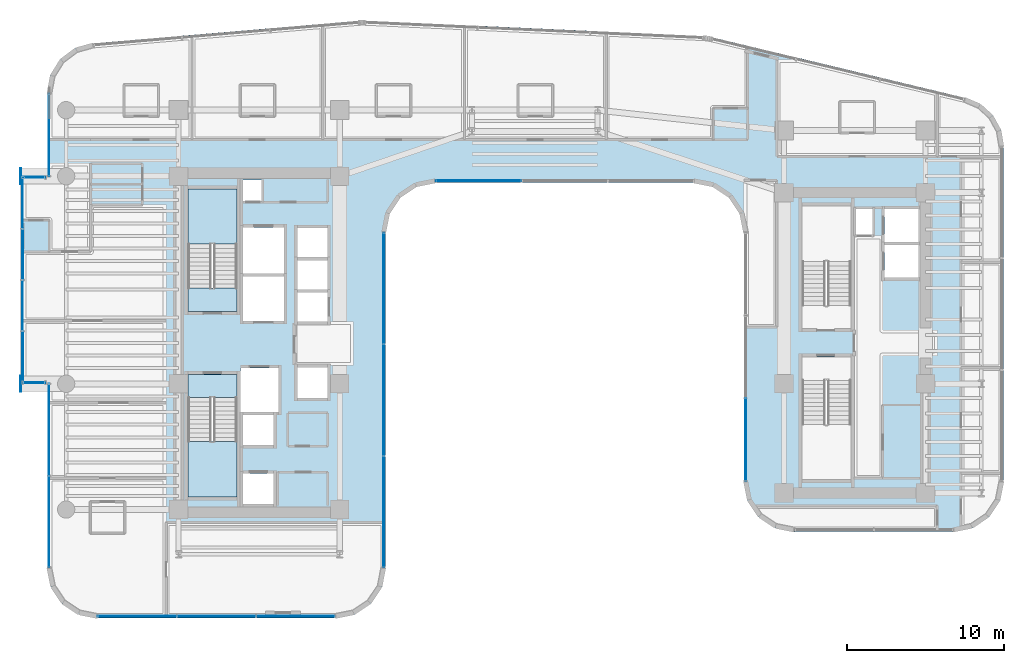
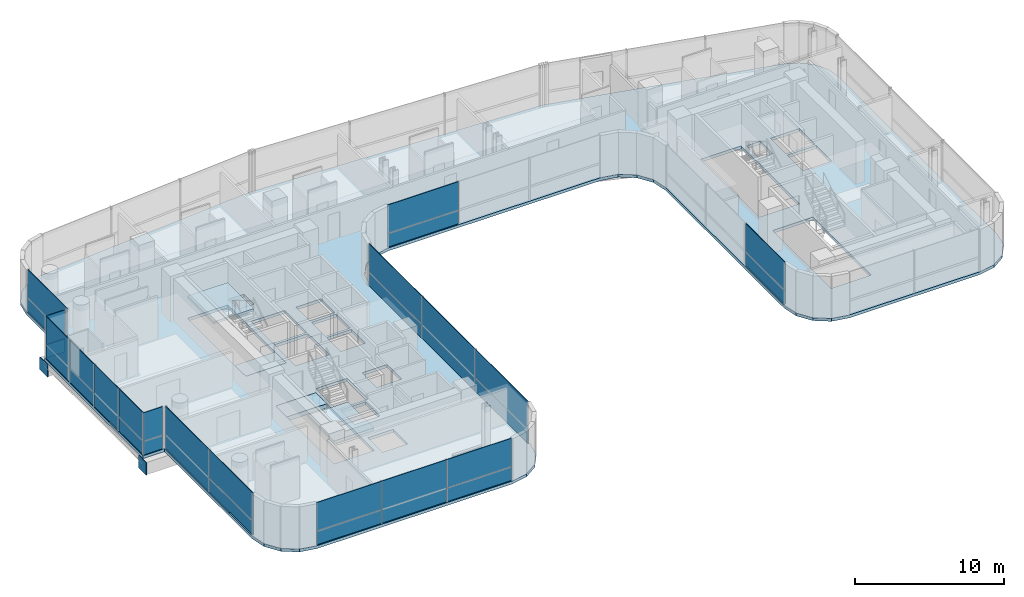
# One storey, part 24 of 35: 31 plates, 5 slabs, 11 elements without a shape of their own.
"""IFC4 building model written with IfcOpenShell, lengths in metres."""

from ifc_helpers import new_model, si_unit, direction, frame, origin, origin_2d, place, context, subcontext, project, spatial, polyline, rectangle, outline, extrude, source, transform, mapped, material, layer, layer_set, type_object, element, aggregate, save


model = new_model("IFC4")

# Units and contexts
model_context = context("Model", 3, precision=1e-05, world=origin(), true_north=direction((0.0, 1.0)))
body_context = subcontext(model_context, "Body", "Model", "MODEL_VIEW")
ifc_project = project(units=[si_unit("LENGTHUNIT", "METRE"), si_unit("AREAUNIT", "SQUARE_METRE"), si_unit("VOLUMEUNIT", "CUBIC_METRE"), si_unit("PLANEANGLEUNIT", "RADIAN"), si_unit("MASSUNIT", "GRAM", prefix="KILO")], contexts=[model_context])

# Site, building, storey
site_placement = place(None, origin())
site = spatial("IfcSite", under=ifc_project, at=site_placement, CompositionType="ELEMENT")
building_placement = place(site_placement, origin())
building = spatial("IfcBuilding", under=site, at=building_placement, Name="Valdorenza Pilgrim Sanctuary Tower", CompositionType="ELEMENT")
storey_placement = place(building_placement, frame((0.0, 0.0, 113.10009765625)))
storey = spatial("IfcBuildingStorey", under=building, at=storey_placement, Name="L28", CompositionType="ELEMENT", Elevation=113.10009765625)

# Slab
ifc_material_1 = material(Name="Concrete C40/50", Category="concrete")
ifc_layer_1 = layer(ifc_material_1, 0.239990234375, Name="Concrete C40/50")
ifc_layer_set_1 = layer_set([ifc_layer_1], Name="Concrete C40/50")
slab_type_1 = type_object("IfcSlabType", Name="SLAB-FLR-220", PredefinedType="FLOOR", material=ifc_layer_set_1)
slab_1_placement = place(storey_placement, frame((0.0, 0.0, -0.239990234375)))
element("IfcSlab", 1, at=slab_1_placement, inside=storey, type_object=slab_type_1, Name="L28 Structural Floor Slab 1", PredefinedType="FLOOR", context=body_context, shape_type="SweptSolid", body=[
    extrude(outline(polyline([(-30.78173828125, 17.022216796875), (-30.156494140625, 18.025390625), (-29.2099609375, 18.733154296875), (-28.071044921875, 19.049072265625), (-11.2080078125, 20.482421875), (-11.10400390625, 20.489501953125), (-10.895751953125, 20.49365234375), (10.6962890625, 19.513916015625), (10.847412109375, 19.50341796875), (10.998046875, 19.485595703125), (11.147705078125, 19.4609375), (11.2958984375, 19.42919921875), (27.344970703125, 15.587646484375), (28.323974609375, 15.17138671875), (29.1123046875, 14.45751953125), (29.623291015625, 13.5244140625), (29.800048828125, 12.4755859375), (29.800048828125, -8.800048828125), (29.556396484375, -10.024658203125), (28.86279296875, -11.062744140625), (27.82470703125, -11.75634765625), (26.60009765625, -12.0), (16.5, -12.0), (15.275390625, -11.75634765625), (14.2373046875, -11.062744140625), (13.543701171875, -10.024658203125), (13.300048828125, -8.800048828125), (13.300048828125, 7.0), (13.056396484375, 8.224609375), (12.36279296875, 9.2626953125), (11.32470703125, 9.956298828125), (10.10009765625, 10.199951171875), (-6.300048828125, 10.199951171875), (-7.524658203125, 9.956298828125), (-8.562744140625, 9.2626953125), (-9.25634765625, 8.224609375), (-9.5, 7.0), (-9.5, -14.300048828125), (-9.74365234375, -15.524658203125), (-10.437255859375, -16.562744140625), (-11.475341796875, -17.25634765625), (-12.699951171875, -17.5), (-27.800048828125, -17.5), (-29.024658203125, -17.25634765625), (-30.062744140625, -16.562744140625), (-30.75634765625, -15.524658203125), (-31.0, -14.300048828125), (-31.0, -2.60009765625), (-32.64990234375, -2.60009765625), (-32.64990234375, 10.60009765625), (-31.0, 10.60009765625), (-31.0, 15.860595703125), (-30.78173828125, 17.022216796875)]), holes=[polyline([(-16.60009765625, -10.25), (-16.60009765625, -8.300048828125), (-18.550048828125, -8.300048828125), (-18.550048828125, -10.25), (-16.60009765625, -10.25)]), polyline([(-22.050048828125, -9.800048828125), (-18.93994140625, -9.800048828125), (-18.93994140625, -3.485107421875), (-18.93994140625, -2.0), (-22.050048828125, -2.0), (-22.050048828125, -3.485107421875), (-22.050048828125, -9.800048828125)]), polyline([(-16.60009765625, -6.5), (-16.60009765625, -4.60009765625), (-18.550048828125, -4.60009765625), (-18.550048828125, -6.5), (-16.60009765625, -6.5)]), polyline([(-18.719970703125, -4.39990234375), (-16.300048828125, -4.39990234375), (-16.300048828125, -1.60009765625), (-18.719970703125, -1.60009765625), (-18.719970703125, -4.39990234375)]), polyline([(-13.179931640625, 1.35009765625), (-13.179931640625, 3.199951171875), (-15.10009765625, 3.199951171875), (-15.10009765625, 1.35009765625), (-13.179931640625, 1.35009765625)]), polyline([(-22.050048828125, 2.0), (-18.93994140625, 2.0), (-18.93994140625, 3.485107421875), (-18.93994140625, 9.800048828125), (-22.050048828125, 9.800048828125), (-22.050048828125, 3.485107421875), (-22.050048828125, 2.0)]), polyline([(-15.949951171875, 1.39990234375), (-15.949951171875, 4.22509765625), (-18.550048828125, 4.22509765625), (-18.550048828125, 1.39990234375), (-15.949951171875, 1.39990234375)]), polyline([(-18.550048828125, 4.425048828125), (-15.949951171875, 4.425048828125), (-15.949951171875, 7.35009765625), (-18.550048828125, 7.35009765625), (-18.550048828125, 4.425048828125)]), polyline([(-17.360107421875, 9.030029296875), (-17.360107421875, 10.35009765625), (-18.570068359375, 10.35009765625), (-18.570068359375, 9.030029296875), (-17.360107421875, 9.030029296875)]), polyline([(17.0, -8.699951171875), (20.110107421875, -8.699951171875), (20.110107421875, -2.385009765625), (20.110107421875, -0.89990234375), (17.0, -0.89990234375), (17.0, -2.385009765625), (17.0, -8.699951171875)]), polyline([(-13.179931640625, -3.5), (-13.179931640625, -1.550048828125), (-15.10009765625, -1.550048828125), (-15.10009765625, -3.5), (-13.179931640625, -3.5)]), polyline([(17.0, 0.89990234375), (20.110107421875, 0.89990234375), (20.110107421875, 2.385009765625), (20.110107421875, 8.699951171875), (17.0, 8.699951171875), (17.0, 2.385009765625), (17.0, 0.89990234375)]), polyline([(-13.179931640625, 3.39990234375), (-13.179931640625, 5.25), (-15.10009765625, 5.25), (-15.10009765625, 3.39990234375), (-13.179931640625, 3.39990234375)]), polyline([(22.25, 4.14990234375), (24.47998046875, 4.14990234375), (24.47998046875, 6.22509765625), (22.25, 6.22509765625), (22.25, 4.14990234375)]), polyline([(-13.179931640625, 5.449951171875), (-13.179931640625, 7.300048828125), (-15.10009765625, 7.300048828125), (-15.10009765625, 5.449951171875), (-13.179931640625, 5.449951171875)]), polyline([(22.25, 6.425048828125), (24.47998046875, 6.425048828125), (24.47998046875, 8.5), (22.25, 8.5), (22.25, 6.425048828125)]), polyline([(20.409912109375, 6.860107421875), (21.489990234375, 6.860107421875), (21.489990234375, 8.52001953125), (20.409912109375, 8.52001953125), (20.409912109375, 6.860107421875)])]), origin(), (0.0, 0.0, 1.0), 0.239990234375),
])

# Stair, slab
stair_type = type_object("IfcStairType", Name="STR-DOG-CORE", PredefinedType="HALF_TURN_STAIR", material=ifc_material_1)
stair_1_placement = place(storey_placement, origin())
stair_1 = element("IfcStair", 2, at=stair_1_placement, inside=storey, type_object=stair_type, Name="L28 ST-A1", PredefinedType="HALF_TURN_STAIR")
ifc_layer_2 = layer(ifc_material_1, 0.199951171875, Name="Concrete C40/50")
ifc_layer_set_2 = layer_set([ifc_layer_2], Name="Concrete C40/50")
slab_type_2 = type_object("IfcSlabType", Name="SLAB-STL-200", PredefinedType="LANDING", material=ifc_layer_set_2)
slab_2_placement = place(storey_placement, frame((0.0, 0.0, 1.64990234375)))
slab_2 = element("IfcSlab", 3, at=slab_2_placement, type_object=slab_type_2, Name="ST-A1 landing 1", PredefinedType="LANDING", context=body_context, shape_type="SweptSolid", body=[
    extrude(outline(polyline([(-18.93994140625, 6.280029296875), (-18.93994140625, 9.800048828125), (-22.050048828125, 9.800048828125), (-22.050048828125, 6.280029296875), (-18.93994140625, 6.280029296875)])), origin(), (0.0, 0.0, 1.0), 0.199951171875),
])
aggregate(stair_1, [slab_2])

stair_2_placement = place(storey_placement, origin())
stair_2 = element("IfcStair", 4, at=stair_2_placement, inside=storey, type_object=stair_type, Name="L28 ST-A2", PredefinedType="HALF_TURN_STAIR")
slab_3_placement = place(storey_placement, frame((0.0, 0.0, 1.64990234375)))
slab_3 = element("IfcSlab", 5, at=slab_3_placement, type_object=slab_type_2, Name="ST-A2 landing 1", PredefinedType="LANDING", context=body_context, shape_type="SweptSolid", body=[
    extrude(outline(polyline([(-22.050048828125, -6.280029296875), (-22.050048828125, -9.800048828125), (-18.93994140625, -9.800048828125), (-18.93994140625, -6.280029296875), (-22.050048828125, -6.280029296875)])), origin(), (0.0, 0.0, 1.0), 0.199951171875),
])
aggregate(stair_2, [slab_3])

# Slabs
ifc_material_2 = material(Name="Concrete C50/60", Category="concrete")
ifc_layer_3 = layer(ifc_material_2, 0.39990234375, Name="Concrete C50/60")
ifc_layer_set_3 = layer_set([ifc_layer_3], Name="Concrete C50/60")
slab_type_3 = type_object("IfcSlabType", Name="SLAB-TRF-400", PredefinedType="FLOOR", material=ifc_layer_set_3)
slab_4_placement = place(storey_placement, frame((0.0, 0.0, -0.360107421875)))
element("IfcSlab", 6, at=slab_4_placement, inside=storey, type_object=slab_type_3, Name="L28 ST-A1 Structural Stair Landing Bearing Slab", PredefinedType="FLOOR", context=body_context, shape_type="SweptSolid", body=[
    extrude(outline(polyline([(-22.050048828125, 2.0), (-18.93994140625, 2.0), (-18.93994140625, 3.485107421875), (-22.050048828125, 3.485107421875), (-22.050048828125, 2.0)])), origin(), (0.0, 0.0, 1.0), 0.360107421875),
])
slab_5_placement = place(storey_placement, frame((0.0, 0.0, -0.360107421875)))
element("IfcSlab", 7, at=slab_5_placement, inside=storey, type_object=slab_type_3, Name="L28 ST-A2 Structural Stair Landing Bearing Slab", PredefinedType="FLOOR", context=body_context, shape_type="SweptSolid", body=[
    extrude(outline(polyline([(-22.050048828125, -3.485107421875), (-18.93994140625, -3.485107421875), (-18.93994140625, -2.0), (-22.050048828125, -2.0), (-22.050048828125, -3.485107421875)])), origin(), (0.0, 0.0, 1.0), 0.360107421875),
])

# Plates
ifc_material_3 = material(Name="Steel ASTM A572 Grade 42", Category="steel")
ifc_layer_4 = layer(ifc_material_3, 0.06005859375, Name="Steel ASTM A572 Grade 42")
ifc_layer_set_4 = layer_set([ifc_layer_4], Name="Steel ASTM A572 Grade 42")
plate_type_1 = type_object("IfcPlateType", Name="PLT-CAP-60", PredefinedType="SHEET", material=ifc_layer_set_4)
shared_shape_1 = source(origin(), body_context, "Body", "SweptSolid", [
    extrude(rectangle(XDim=0.06005859375, YDim=1.0400390625, at=origin_2d()), origin(), (0.0, 0.0, 1.0), 1.0400390625),
])
for number, where, z_axis, x_axis, name in (
    (8, (-32.679931640625, 10.60009765625, -1.260009765625), (0.0, 0.0, 1.0), (1.0, 0.0, 0.0), "L28 BOX-WA-L28 Cantilever Tip End Cap N"),
    (9, (-32.679931640625, -2.60009765625, -1.260009765625), (0.0, 0.0, 1.0), (1.0, 0.0, 0.0), "L28 BOX-WA-L28 Cantilever Tip End Cap S"),
):
    element("IfcPlate", number, at=place(storey_placement, frame(where, z_axis=z_axis, x_axis=x_axis)), inside=storey, type_object=plate_type_1, Name=name, PredefinedType="SHEET", context=body_context, shape_type="MappedRepresentation", body=[
        mapped(shared_shape_1, transform((0.0, 0.0, 0.0), x_axis=(1.0, 0.0, 0.0), y_axis=(0.0, 1.0, 0.0), z_axis=(0.0, 0.0, 1.0), scale=1.0)),
    ])

# Curtain wall, plates
ifc_material_4 = material(Name="Curtain-wall IGU glazing", Category="glass")
curtain_wall_type_1 = type_object("IfcCurtainWallType", Name="CW-SYS-02", PredefinedType="NOTDEFINED", material=ifc_material_4)
curtain_wall_1_placement = place(storey_placement, origin())
curtain_wall_1 = element("IfcCurtainWall", 10, at=curtain_wall_1_placement, inside=storey, type_object=curtain_wall_type_1, Name="L28 Curtain Wall CW-L28-1-36", PredefinedType="NOTDEFINED")
ifc_material_5 = material(Name="Honed travertine limestone", Category="masonry")
ifc_layer_5 = layer(ifc_material_5, 0.050048828125, Name="Honed travertine limestone")
ifc_layer_set_5 = layer_set([ifc_layer_5], Name="Honed travertine limestone")
plate_type_2 = type_object("IfcPlateType", Name="CW-SPN-TRV", PredefinedType="USERDEFINED", material=ifc_layer_set_5)
shared_shape_2 = source(origin(), body_context, "Body", "SweptSolid", [
    extrude(rectangle(XDim=5.453857421875, YDim=0.06005859375, at=origin_2d()), origin(), (0.0, 0.0, 1.0), 1.10009765625),
])
plate_1_placement = place(storey_placement, frame((-3.573974609375, 10.31005859375, 0.009765625), z_axis=(0.0, 0.0, 1.0), x_axis=(-1.0, 0.0, 0.0)))
plate_1 = element("IfcPlate", 11, at=plate_1_placement, type_object=plate_type_2, Name="CW-L28-1-36 Travertine Spandrel 3", ObjectType="SPANDREL", PredefinedType="USERDEFINED", context=body_context, shape_type="MappedRepresentation", body=[
    mapped(shared_shape_2, transform((0.0, 0.0, 0.0), x_axis=(1.0, 0.0, 0.0), y_axis=(0.0, 1.0, 0.0), z_axis=(0.0, 0.0, 1.0), scale=1.0)),
])
ifc_material_6 = material(Name="Ceramic-fritted low-E IGU glazing", Category="glass")
ifc_layer_6 = layer(ifc_material_6, 0.035888671875, Name="Ceramic-fritted low-E IGU glazing")
ifc_layer_set_6 = layer_set([ifc_layer_6], Name="Ceramic-fritted low-E IGU glazing")
plate_type_3 = type_object("IfcPlateType", Name="CW-GLZ-IGU", PredefinedType="USERDEFINED", material=ifc_layer_set_6)
shared_shape_3 = source(origin(), body_context, "Body", "SweptSolid", [
    extrude(rectangle(XDim=5.453857421875, YDim=0.050048828125, at=origin_2d()), origin(), (0.0, 0.0, 1.0), 2.320068359375),
])
plate_2_placement = place(storey_placement, frame((-3.573974609375, 10.31005859375, 1.1298828125), z_axis=(0.0, 0.0, 1.0), x_axis=(-1.0, 0.0, 0.0)))
plate_2 = element("IfcPlate", 12, at=plate_2_placement, type_object=plate_type_3, Name="CW-L28-1-36 Facade Panel 3", ObjectType="GLAZING", PredefinedType="USERDEFINED", context=body_context, shape_type="MappedRepresentation", body=[
    mapped(shared_shape_3, transform((0.0, 0.0, 0.0), x_axis=(1.0, 0.0, 0.0), y_axis=(0.0, 1.0, 0.0), z_axis=(0.0, 0.0, 1.0), scale=1.0)),
])
aggregate(curtain_wall_1, [plate_1, plate_2])

# Curtain wall, plate
curtain_wall_2_placement = place(storey_placement, origin())
curtain_wall_2 = element("IfcCurtainWall", 13, at=curtain_wall_2_placement, inside=storey, type_object=curtain_wall_type_1, Name="L28 Curtain Wall CW-L28-BOX-WA-L28-S", PredefinedType="NOTDEFINED")
shared_shape_4 = source(origin(), body_context, "Body", "SweptSolid", [
    extrude(rectangle(XDim=1.43994140625, YDim=0.06005859375, at=origin_2d()), origin(), (0.0, 0.0, 1.0), 1.10009765625),
])
plate_3_placement = place(storey_placement, frame((-31.840087890625, -2.52001953125, 0.009765625), z_axis=(0.0, 0.0, 1.0), x_axis=(-1.0, 0.0, 0.0)))
plate_3 = element("IfcPlate", 14, at=plate_3_placement, type_object=plate_type_2, Name="CW-L28-BOX-WA-L28-S Travertine Spandrel 1", ObjectType="SPANDREL", PredefinedType="USERDEFINED", context=body_context, shape_type="MappedRepresentation", body=[
    mapped(shared_shape_4, transform((0.0, 0.0, 0.0), x_axis=(1.0, 0.0, 0.0), y_axis=(0.0, 1.0, 0.0), z_axis=(0.0, 0.0, 1.0), scale=1.0)),
])

curtain_wall_3_placement = place(storey_placement, origin())
curtain_wall_3 = element("IfcCurtainWall", 15, at=curtain_wall_3_placement, inside=storey, type_object=curtain_wall_type_1, Name="L28 Curtain Wall CW-L28-BOX-WA-L28-N", PredefinedType="NOTDEFINED")
plate_4_placement = place(storey_placement, frame((-31.840087890625, 10.52001953125, 0.009765625), z_axis=(0.0, 0.0, 1.0), x_axis=(1.0, 0.0, 0.0)))
plate_4 = element("IfcPlate", 16, at=plate_4_placement, type_object=plate_type_2, Name="CW-L28-BOX-WA-L28-N Travertine Spandrel 1", ObjectType="SPANDREL", PredefinedType="USERDEFINED", context=body_context, shape_type="MappedRepresentation", body=[
    mapped(shared_shape_4, transform((0.0, 0.0, 0.0), x_axis=(1.0, 0.0, 0.0), y_axis=(0.0, 1.0, 0.0), z_axis=(0.0, 0.0, 1.0), scale=1.0)),
])

# Plate
shared_shape_5 = source(origin(), body_context, "Body", "SweptSolid", [
    extrude(rectangle(XDim=1.43994140625, YDim=0.050048828125, at=origin_2d()), origin(), (0.0, 0.0, 1.0), 2.320068359375),
])
plate_5_placement = place(storey_placement, frame((-31.840087890625, -2.52001953125, 1.1298828125), z_axis=(0.0, 0.0, 1.0), x_axis=(-1.0, 0.0, 0.0)))
plate_5 = element("IfcPlate", 17, at=plate_5_placement, type_object=plate_type_3, Name="CW-L28-BOX-WA-L28-S Facade Panel 1", ObjectType="GLAZING", PredefinedType="USERDEFINED", context=body_context, shape_type="MappedRepresentation", body=[
    mapped(shared_shape_5, transform((0.0, 0.0, 0.0), x_axis=(1.0, 0.0, 0.0), y_axis=(0.0, 1.0, 0.0), z_axis=(0.0, 0.0, 1.0), scale=1.0)),
])

aggregate(curtain_wall_2, [plate_3, plate_5])

plate_6_placement = place(storey_placement, frame((-31.840087890625, 10.52001953125, 1.1298828125), z_axis=(0.0, 0.0, 1.0), x_axis=(1.0, 0.0, 0.0)))
plate_6 = element("IfcPlate", 18, at=plate_6_placement, type_object=plate_type_3, Name="CW-L28-BOX-WA-L28-N Facade Panel 1", ObjectType="GLAZING", PredefinedType="USERDEFINED", context=body_context, shape_type="MappedRepresentation", body=[
    mapped(shared_shape_5, transform((0.0, 0.0, 0.0), x_axis=(1.0, 0.0, 0.0), y_axis=(0.0, 1.0, 0.0), z_axis=(0.0, 0.0, 1.0), scale=1.0)),
])

aggregate(curtain_wall_3, [plate_4, plate_6])

# Curtain wall, plates
curtain_wall_4_placement = place(storey_placement, origin())
curtain_wall_4 = element("IfcCurtainWall", 19, at=curtain_wall_4_placement, inside=storey, type_object=curtain_wall_type_1, Name="L28 Curtain Wall CW-L28-BOX-WA-L28-F", PredefinedType="NOTDEFINED")
shared_shape_6 = source(origin(), body_context, "Body", "SweptSolid", [
    extrude(rectangle(XDim=3.239990234375, YDim=0.06005859375, at=origin_2d()), origin(), (0.0, 0.0, 1.0), 1.10009765625),
])
plate_7_placement = place(storey_placement, frame((-32.570068359375, -0.889892578125, 0.009765625), z_axis=(0.0, 0.0, 1.0), x_axis=(0.0, 1.0, 0.0)))
plate_7 = element("IfcPlate", 20, at=plate_7_placement, type_object=plate_type_2, Name="CW-L28-BOX-WA-L28-F Travertine Spandrel 1", ObjectType="SPANDREL", PredefinedType="USERDEFINED", context=body_context, shape_type="MappedRepresentation", body=[
    mapped(shared_shape_6, transform((0.0, 0.0, 0.0), x_axis=(1.0, 0.0, 0.0), y_axis=(0.0, 1.0, 0.0), z_axis=(0.0, 0.0, 1.0), scale=1.0)),
])
plate_8_placement = place(storey_placement, frame((-32.570068359375, 5.6298828125, 0.009765625), z_axis=(0.0, 0.0, 1.0), x_axis=(0.0, 1.0, 0.0)))
plate_8 = element("IfcPlate", 21, at=plate_8_placement, type_object=plate_type_2, Name="CW-L28-BOX-WA-L28-F Travertine Spandrel 3", ObjectType="SPANDREL", PredefinedType="USERDEFINED", context=body_context, shape_type="MappedRepresentation", body=[
    mapped(shared_shape_6, transform((0.0, 0.0, 0.0), x_axis=(1.0, 0.0, 0.0), y_axis=(0.0, 1.0, 0.0), z_axis=(0.0, 0.0, 1.0), scale=1.0)),
])
shared_shape_7 = source(origin(), body_context, "Body", "SweptSolid", [
    extrude(rectangle(XDim=3.239990234375, YDim=0.050048828125, at=origin_2d()), origin(), (0.0, 0.0, 1.0), 2.320068359375),
])
plate_9_placement = place(storey_placement, frame((-32.570068359375, -0.889892578125, 1.1298828125), z_axis=(0.0, 0.0, 1.0), x_axis=(0.0, 1.0, 0.0)))
plate_9 = element("IfcPlate", 22, at=plate_9_placement, type_object=plate_type_3, Name="CW-L28-BOX-WA-L28-F Facade Panel 1", ObjectType="GLAZING", PredefinedType="USERDEFINED", context=body_context, shape_type="MappedRepresentation", body=[
    mapped(shared_shape_7, transform((0.0, 0.0, 0.0), x_axis=(1.0, 0.0, 0.0), y_axis=(0.0, 1.0, 0.0), z_axis=(0.0, 0.0, 1.0), scale=1.0)),
])
plate_10_placement = place(storey_placement, frame((-32.570068359375, 5.6298828125, 1.1298828125), z_axis=(0.0, 0.0, 1.0), x_axis=(0.0, 1.0, 0.0)))
plate_10 = element("IfcPlate", 23, at=plate_10_placement, type_object=plate_type_3, Name="CW-L28-BOX-WA-L28-F Facade Panel 3", ObjectType="GLAZING", PredefinedType="USERDEFINED", context=body_context, shape_type="MappedRepresentation", body=[
    mapped(shared_shape_7, transform((0.0, 0.0, 0.0), x_axis=(1.0, 0.0, 0.0), y_axis=(0.0, 1.0, 0.0), z_axis=(0.0, 0.0, 1.0), scale=1.0)),
])
shared_shape_8 = source(origin(), body_context, "Body", "SweptSolid", [
    extrude(rectangle(XDim=3.239990234375, YDim=0.050048828125, at=origin_2d()), origin(), (0.0, 0.0, 1.0), 3.43994140625),
])
plate_11_placement = place(storey_placement, frame((-32.570068359375, 2.3701171875, 0.010009765625), z_axis=(0.0, 0.0, 1.0), x_axis=(0.0, 1.0, 0.0)))
plate_11 = element("IfcPlate", 24, at=plate_11_placement, type_object=plate_type_3, Name="CW-L28-BOX-WA-L28-F Full-Height Facade Panel 2", ObjectType="GLAZING", PredefinedType="USERDEFINED", context=body_context, shape_type="MappedRepresentation", body=[
    mapped(shared_shape_8, transform((0.0, 0.0, 0.0), x_axis=(1.0, 0.0, 0.0), y_axis=(0.0, 1.0, 0.0), z_axis=(0.0, 0.0, 1.0), scale=1.0)),
])
plate_12_placement = place(storey_placement, frame((-32.570068359375, 8.889892578125, 0.010009765625), z_axis=(0.0, 0.0, 1.0), x_axis=(0.0, 1.0, 0.0)))
plate_12 = element("IfcPlate", 25, at=plate_12_placement, type_object=plate_type_3, Name="CW-L28-BOX-WA-L28-F Full-Height Facade Panel 4", ObjectType="GLAZING", PredefinedType="USERDEFINED", context=body_context, shape_type="MappedRepresentation", body=[
    mapped(shared_shape_8, transform((0.0, 0.0, 0.0), x_axis=(1.0, 0.0, 0.0), y_axis=(0.0, 1.0, 0.0), z_axis=(0.0, 0.0, 1.0), scale=1.0)),
])
aggregate(curtain_wall_4, [plate_7, plate_9, plate_11, plate_8, plate_10, plate_12])

# Curtain wall, plate
curtain_wall_type_2 = type_object("IfcCurtainWallType", Name="CW-SYS-03", PredefinedType="NOTDEFINED", material=ifc_material_4)
curtain_wall_5_placement = place(storey_placement, origin())
curtain_wall_5 = element("IfcCurtainWall", 26, at=curtain_wall_5_placement, inside=storey, type_object=curtain_wall_type_2, Name="L28 Curtain Wall CW-L28-1-31", PredefinedType="NOTDEFINED")
shared_shape_9 = source(origin(), body_context, "Body", "SweptSolid", [
    extrude(rectangle(XDim=5.24658203125, YDim=0.06005859375, at=origin_2d()), origin(), (0.0, 0.0, 1.0), 1.10009765625),
])
plate_13_placement = place(storey_placement, frame((13.409912109375, -6.156005859375, 0.009765625), z_axis=(0.0, 0.0, 1.0), x_axis=(0.0, 1.0, 0.0)))
plate_13 = element("IfcPlate", 27, at=plate_13_placement, type_object=plate_type_2, Name="CW-L28-1-31 Travertine Spandrel 1", ObjectType="SPANDREL", PredefinedType="USERDEFINED", context=body_context, shape_type="MappedRepresentation", body=[
    mapped(shared_shape_9, transform((0.0, 0.0, 0.0), x_axis=(1.0, 0.0, 0.0), y_axis=(0.0, 1.0, 0.0), z_axis=(0.0, 0.0, 1.0), scale=1.0)),
])

# Curtain wall, plates
curtain_wall_6_placement = place(storey_placement, origin())
curtain_wall_6 = element("IfcCurtainWall", 28, at=curtain_wall_6_placement, inside=storey, type_object=curtain_wall_type_1, Name="L28 Curtain Wall CW-L28-1-41", PredefinedType="NOTDEFINED")
shared_shape_10 = source(origin(), body_context, "Body", "SweptSolid", [
    extrude(rectangle(XDim=7.080078125, YDim=0.06005859375, at=origin_2d()), origin(), (0.0, 0.0, 1.0), 1.10009765625),
])
plate_14_placement = place(storey_placement, frame((-9.610107421875, 3.460693359375, 0.009765625), z_axis=(0.0, 0.0, 1.0), x_axis=(0.0, -1.0, 0.0)))
plate_14 = element("IfcPlate", 29, at=plate_14_placement, type_object=plate_type_2, Name="CW-L28-1-41 Travertine Spandrel 1", ObjectType="SPANDREL", PredefinedType="USERDEFINED", context=body_context, shape_type="MappedRepresentation", body=[
    mapped(shared_shape_10, transform((0.0, 0.0, 0.0), x_axis=(1.0, 0.0, 0.0), y_axis=(0.0, 1.0, 0.0), z_axis=(0.0, 0.0, 1.0), scale=1.0)),
])
plate_15_placement = place(storey_placement, frame((-9.610107421875, -10.7392578125, 0.009765625), z_axis=(0.0, 0.0, 1.0), x_axis=(0.0, -1.0, 0.0)))
plate_15 = element("IfcPlate", 30, at=plate_15_placement, type_object=plate_type_2, Name="CW-L28-1-41 Travertine Spandrel 3", ObjectType="SPANDREL", PredefinedType="USERDEFINED", context=body_context, shape_type="MappedRepresentation", body=[
    mapped(shared_shape_10, transform((0.0, 0.0, 0.0), x_axis=(1.0, 0.0, 0.0), y_axis=(0.0, 1.0, 0.0), z_axis=(0.0, 0.0, 1.0), scale=1.0)),
])

curtain_wall_7_placement = place(storey_placement, origin())
curtain_wall_7 = element("IfcCurtainWall", 31, at=curtain_wall_7_placement, inside=storey, type_object=curtain_wall_type_1, Name="L28 Curtain Wall CW-L28-1-1S1", PredefinedType="NOTDEFINED")
shared_shape_11 = source(origin(), body_context, "Body", "SweptSolid", [
    extrude(rectangle(XDim=5.82470703125, YDim=0.06005859375, at=origin_2d()), origin(), (0.0, 0.0, 1.0), 1.10009765625),
])
plate_16_placement = place(storey_placement, frame((-30.889892578125, -11.366943359375, 0.009765625), z_axis=(0.0, 0.0, 1.0), x_axis=(0.0, 1.0, 0.0)))
plate_16 = element("IfcPlate", 32, at=plate_16_placement, type_object=plate_type_2, Name="CW-L28-1-1S1 Travertine Spandrel 1", ObjectType="SPANDREL", PredefinedType="USERDEFINED", context=body_context, shape_type="MappedRepresentation", body=[
    mapped(shared_shape_11, transform((0.0, 0.0, 0.0), x_axis=(1.0, 0.0, 0.0), y_axis=(0.0, 1.0, 0.0), z_axis=(0.0, 0.0, 1.0), scale=1.0)),
])
shared_shape_12 = source(origin(), body_context, "Body", "SweptSolid", [
    extrude(rectangle(XDim=5.82470703125, YDim=0.050048828125, at=origin_2d()), origin(), (0.0, 0.0, 1.0), 2.320068359375),
])
plate_17_placement = place(storey_placement, frame((-30.889892578125, -11.366943359375, 1.1298828125), z_axis=(0.0, 0.0, 1.0), x_axis=(0.0, 1.0, 0.0)))
plate_17 = element("IfcPlate", 33, at=plate_17_placement, type_object=plate_type_3, Name="CW-L28-1-1S1 Facade Panel 1", ObjectType="GLAZING", PredefinedType="USERDEFINED", context=body_context, shape_type="MappedRepresentation", body=[
    mapped(shared_shape_12, transform((0.0, 0.0, 0.0), x_axis=(1.0, 0.0, 0.0), y_axis=(0.0, 1.0, 0.0), z_axis=(0.0, 0.0, 1.0), scale=1.0)),
])
shared_shape_13 = source(origin(), body_context, "Body", "SweptSolid", [
    extrude(rectangle(XDim=5.82470703125, YDim=0.050048828125, at=origin_2d()), origin(), (0.0, 0.0, 1.0), 3.43994140625),
])
plate_18_placement = place(storey_placement, frame((-30.889892578125, -5.522216796875, 0.010009765625), z_axis=(0.0, 0.0, 1.0), x_axis=(0.0, 1.0, 0.0)))
plate_18 = element("IfcPlate", 34, at=plate_18_placement, type_object=plate_type_3, Name="CW-L28-1-1S1 Full-Height Facade Panel 2", ObjectType="GLAZING", PredefinedType="USERDEFINED", context=body_context, shape_type="MappedRepresentation", body=[
    mapped(shared_shape_13, transform((0.0, 0.0, 0.0), x_axis=(1.0, 0.0, 0.0), y_axis=(0.0, 1.0, 0.0), z_axis=(0.0, 0.0, 1.0), scale=1.0)),
])
aggregate(curtain_wall_7, [plate_16, plate_17, plate_18])

curtain_wall_8_placement = place(storey_placement, origin())
curtain_wall_8 = element("IfcCurtainWall", 35, at=curtain_wall_8_placement, inside=storey, type_object=curtain_wall_type_1, Name="L28 Curtain Wall CW-L28-1-1S2", PredefinedType="NOTDEFINED")
shared_shape_14 = source(origin(), body_context, "Body", "SweptSolid", [
    extrude(rectangle(XDim=5.230224609375, YDim=0.06005859375, at=origin_2d()), origin(), (0.0, 0.0, 1.0), 1.10009765625),
])
plate_19_placement = place(storey_placement, frame((-30.889892578125, 13.22509765625, 0.009765625), z_axis=(0.0, 0.0, 1.0), x_axis=(0.0, 1.0, 0.0)))
plate_19 = element("IfcPlate", 36, at=plate_19_placement, type_object=plate_type_2, Name="CW-L28-1-1S2 Travertine Spandrel 1", ObjectType="SPANDREL", PredefinedType="USERDEFINED", context=body_context, shape_type="MappedRepresentation", body=[
    mapped(shared_shape_14, transform((0.0, 0.0, 0.0), x_axis=(1.0, 0.0, 0.0), y_axis=(0.0, 1.0, 0.0), z_axis=(0.0, 0.0, 1.0), scale=1.0)),
])
shared_shape_15 = source(origin(), body_context, "Body", "SweptSolid", [
    extrude(rectangle(XDim=5.230224609375, YDim=0.050048828125, at=origin_2d()), origin(), (0.0, 0.0, 1.0), 2.320068359375),
])
plate_20_placement = place(storey_placement, frame((-30.889892578125, 13.22509765625, 1.1298828125), z_axis=(0.0, 0.0, 1.0), x_axis=(0.0, 1.0, 0.0)))
plate_20 = element("IfcPlate", 37, at=plate_20_placement, type_object=plate_type_3, Name="CW-L28-1-1S2 Facade Panel 1", ObjectType="GLAZING", PredefinedType="USERDEFINED", context=body_context, shape_type="MappedRepresentation", body=[
    mapped(shared_shape_15, transform((0.0, 0.0, 0.0), x_axis=(1.0, 0.0, 0.0), y_axis=(0.0, 1.0, 0.0), z_axis=(0.0, 0.0, 1.0), scale=1.0)),
])
aggregate(curtain_wall_8, [plate_19, plate_20])

# Plate
shared_shape_16 = source(origin(), body_context, "Body", "SweptSolid", [
    extrude(rectangle(XDim=5.24658203125, YDim=0.050048828125, at=origin_2d()), origin(), (0.0, 0.0, 1.0), 2.320068359375),
])
plate_21_placement = place(storey_placement, frame((13.409912109375, -6.156005859375, 1.1298828125), z_axis=(0.0, 0.0, 1.0), x_axis=(0.0, 1.0, 0.0)))
plate_21 = element("IfcPlate", 38, at=plate_21_placement, type_object=plate_type_3, Name="CW-L28-1-31 Facade Panel 1", ObjectType="GLAZING", PredefinedType="USERDEFINED", context=body_context, shape_type="MappedRepresentation", body=[
    mapped(shared_shape_16, transform((0.0, 0.0, 0.0), x_axis=(1.0, 0.0, 0.0), y_axis=(0.0, 1.0, 0.0), z_axis=(0.0, 0.0, 1.0), scale=1.0)),
])

aggregate(curtain_wall_5, [plate_13, plate_21])

shared_shape_17 = source(origin(), body_context, "Body", "SweptSolid", [
    extrude(rectangle(XDim=7.080078125, YDim=0.050048828125, at=origin_2d()), origin(), (0.0, 0.0, 1.0), 2.320068359375),
])
plate_22_placement = place(storey_placement, frame((-9.610107421875, 3.460693359375, 1.1298828125), z_axis=(0.0, 0.0, 1.0), x_axis=(0.0, -1.0, 0.0)))
plate_22 = element("IfcPlate", 39, at=plate_22_placement, type_object=plate_type_3, Name="CW-L28-1-41 Facade Panel 1", ObjectType="GLAZING", PredefinedType="USERDEFINED", context=body_context, shape_type="MappedRepresentation", body=[
    mapped(shared_shape_17, transform((0.0, 0.0, 0.0), x_axis=(1.0, 0.0, 0.0), y_axis=(0.0, 1.0, 0.0), z_axis=(0.0, 0.0, 1.0), scale=1.0)),
])

plate_23_placement = place(storey_placement, frame((-9.610107421875, -10.7392578125, 1.1298828125), z_axis=(0.0, 0.0, 1.0), x_axis=(0.0, -1.0, 0.0)))
plate_23 = element("IfcPlate", 40, at=plate_23_placement, type_object=plate_type_3, Name="CW-L28-1-41 Facade Panel 3", ObjectType="GLAZING", PredefinedType="USERDEFINED", context=body_context, shape_type="MappedRepresentation", body=[
    mapped(shared_shape_17, transform((0.0, 0.0, 0.0), x_axis=(1.0, 0.0, 0.0), y_axis=(0.0, 1.0, 0.0), z_axis=(0.0, 0.0, 1.0), scale=1.0)),
])

shared_shape_18 = source(origin(), body_context, "Body", "SweptSolid", [
    extrude(rectangle(XDim=7.080078125, YDim=0.050048828125, at=origin_2d()), origin(), (0.0, 0.0, 1.0), 3.43994140625),
])
plate_24_placement = place(storey_placement, frame((-9.610107421875, -3.63916015625, 0.010009765625), z_axis=(0.0, 0.0, 1.0), x_axis=(0.0, -1.0, 0.0)))
plate_24 = element("IfcPlate", 41, at=plate_24_placement, type_object=plate_type_3, Name="CW-L28-1-41 Full-Height Facade Panel 2", ObjectType="GLAZING", PredefinedType="USERDEFINED", context=body_context, shape_type="MappedRepresentation", body=[
    mapped(shared_shape_18, transform((0.0, 0.0, 0.0), x_axis=(1.0, 0.0, 0.0), y_axis=(0.0, 1.0, 0.0), z_axis=(0.0, 0.0, 1.0), scale=1.0)),
])

aggregate(curtain_wall_6, [plate_14, plate_22, plate_24, plate_15, plate_23])

# Curtain wall, plates
curtain_wall_9_placement = place(storey_placement, origin())
curtain_wall_9 = element("IfcCurtainWall", 42, at=curtain_wall_9_placement, inside=storey, type_object=curtain_wall_type_1, Name="L28 Curtain Wall CW-L28-1-46", PredefinedType="NOTDEFINED")
shared_shape_19 = source(origin(), body_context, "Body", "SweptSolid", [
    extrude(rectangle(XDim=5.006103515625, YDim=0.06005859375, at=origin_2d()), origin(), (0.0, 0.0, 1.0), 1.10009765625),
])
plate_25_placement = place(storey_placement, frame((-15.223876953125, -17.389892578125, 0.009765625), z_axis=(0.0, 0.0, 1.0), x_axis=(-1.0, 0.0, 0.0)))
plate_25 = element("IfcPlate", 43, at=plate_25_placement, type_object=plate_type_2, Name="CW-L28-1-46 Travertine Spandrel 1", ObjectType="SPANDREL", PredefinedType="USERDEFINED", context=body_context, shape_type="MappedRepresentation", body=[
    mapped(shared_shape_19, transform((0.0, 0.0, 0.0), x_axis=(1.0, 0.0, 0.0), y_axis=(0.0, 1.0, 0.0), z_axis=(0.0, 0.0, 1.0), scale=1.0)),
])
plate_26_placement = place(storey_placement, frame((-25.276123046875, -17.389892578125, 0.009765625), z_axis=(0.0, 0.0, 1.0), x_axis=(-1.0, 0.0, 0.0)))
plate_26 = element("IfcPlate", 44, at=plate_26_placement, type_object=plate_type_2, Name="CW-L28-1-46 Travertine Spandrel 3", ObjectType="SPANDREL", PredefinedType="USERDEFINED", context=body_context, shape_type="MappedRepresentation", body=[
    mapped(shared_shape_19, transform((0.0, 0.0, 0.0), x_axis=(1.0, 0.0, 0.0), y_axis=(0.0, 1.0, 0.0), z_axis=(0.0, 0.0, 1.0), scale=1.0)),
])
shared_shape_20 = source(origin(), body_context, "Body", "SweptSolid", [
    extrude(rectangle(XDim=5.006103515625, YDim=0.050048828125, at=origin_2d()), origin(), (0.0, 0.0, 1.0), 2.320068359375),
])
plate_27_placement = place(storey_placement, frame((-15.223876953125, -17.389892578125, 1.1298828125), z_axis=(0.0, 0.0, 1.0), x_axis=(-1.0, 0.0, 0.0)))
plate_27 = element("IfcPlate", 45, at=plate_27_placement, type_object=plate_type_3, Name="CW-L28-1-46 Facade Panel 1", ObjectType="GLAZING", PredefinedType="USERDEFINED", context=body_context, shape_type="MappedRepresentation", body=[
    mapped(shared_shape_20, transform((0.0, 0.0, 0.0), x_axis=(1.0, 0.0, 0.0), y_axis=(0.0, 1.0, 0.0), z_axis=(0.0, 0.0, 1.0), scale=1.0)),
])
plate_28_placement = place(storey_placement, frame((-25.276123046875, -17.389892578125, 1.1298828125), z_axis=(0.0, 0.0, 1.0), x_axis=(-1.0, 0.0, 0.0)))
plate_28 = element("IfcPlate", 46, at=plate_28_placement, type_object=plate_type_3, Name="CW-L28-1-46 Facade Panel 3", ObjectType="GLAZING", PredefinedType="USERDEFINED", context=body_context, shape_type="MappedRepresentation", body=[
    mapped(shared_shape_20, transform((0.0, 0.0, 0.0), x_axis=(1.0, 0.0, 0.0), y_axis=(0.0, 1.0, 0.0), z_axis=(0.0, 0.0, 1.0), scale=1.0)),
])
shared_shape_21 = source(origin(), body_context, "Body", "SweptSolid", [
    extrude(rectangle(XDim=5.006103515625, YDim=0.050048828125, at=origin_2d()), origin(), (0.0, 0.0, 1.0), 3.43994140625),
])
plate_29_placement = place(storey_placement, frame((-20.25, -17.389892578125, 0.010009765625), z_axis=(0.0, 0.0, 1.0), x_axis=(-1.0, 0.0, 0.0)))
plate_29 = element("IfcPlate", 47, at=plate_29_placement, type_object=plate_type_3, Name="CW-L28-1-46 Full-Height Facade Panel 2", ObjectType="GLAZING", PredefinedType="USERDEFINED", context=body_context, shape_type="MappedRepresentation", body=[
    mapped(shared_shape_21, transform((0.0, 0.0, 0.0), x_axis=(1.0, 0.0, 0.0), y_axis=(0.0, 1.0, 0.0), z_axis=(0.0, 0.0, 1.0), scale=1.0)),
])
aggregate(curtain_wall_9, [plate_25, plate_27, plate_29, plate_26, plate_28])

save(model, "model.ifc")
